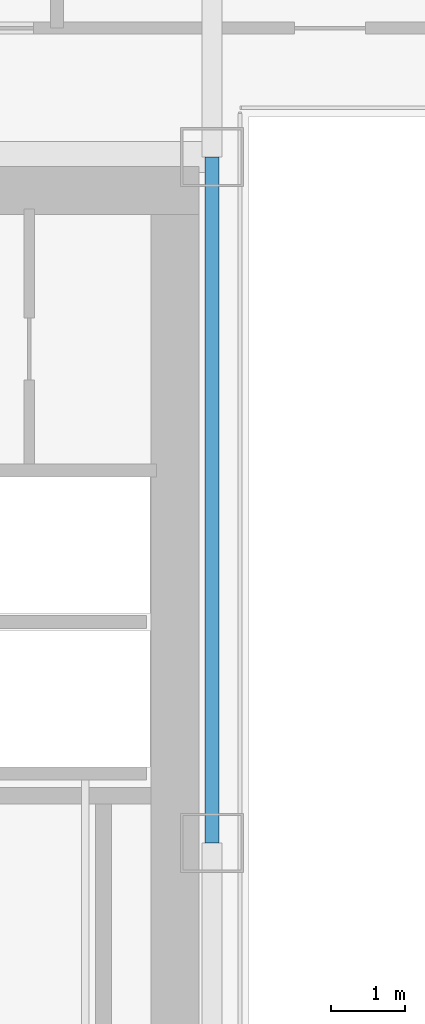
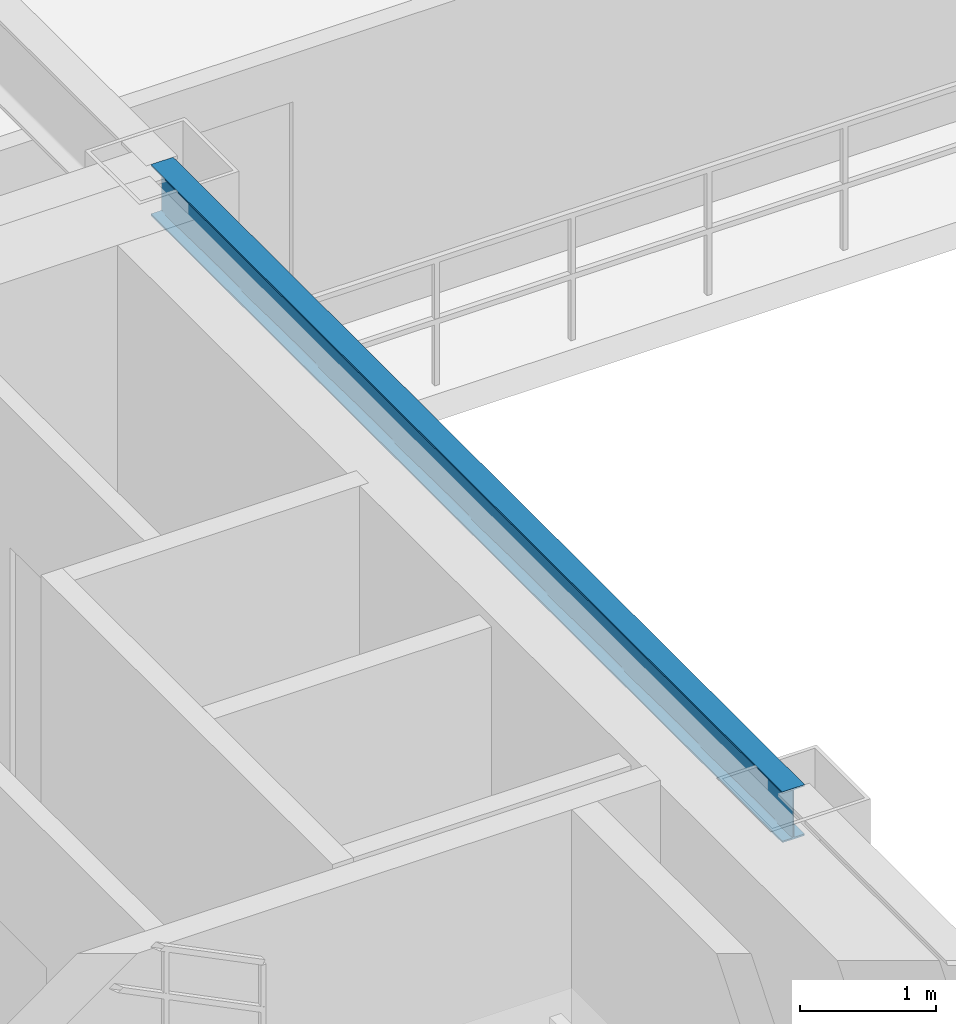
# One storey, part 9 of 34: 1 beam.
"""IFC4 building model written with IfcOpenShell, lengths in metres."""

from ifc_helpers import new_model, si_unit, direction, frame, origin, origin_2d, place, context, subcontext, project, spatial, i_section, extrude, source, transform, mapped, material, material_profile, profile_set, type_object, element, save


model = new_model("IFC4")

# Units and contexts
model_context = context("Model", 3, precision=1e-05, world=origin(), true_north=direction((0.0, 1.0)))
body_context = subcontext(model_context, "Body", "Model", "MODEL_VIEW")
ifc_project = project(units=[si_unit("LENGTHUNIT", "METRE"), si_unit("AREAUNIT", "SQUARE_METRE"), si_unit("VOLUMEUNIT", "CUBIC_METRE"), si_unit("PLANEANGLEUNIT", "RADIAN"), si_unit("MASSUNIT", "GRAM", prefix="KILO")], contexts=[model_context])

# Site, building, storey
site_placement = place(None, origin())
site = spatial("IfcSite", under=ifc_project, at=site_placement, CompositionType="ELEMENT")
building_placement = place(site_placement, origin())
building = spatial("IfcBuilding", under=site, at=building_placement, Name="Ocotamira Hotel", CompositionType="ELEMENT")
storey_placement = place(building_placement, frame((0.0, 0.0, 108.0)))
storey = spatial("IfcBuildingStorey", under=building, at=storey_placement, Name="L26", CompositionType="ELEMENT", Elevation=108.0)

# Beam
ifc_material = material(Name="Steel ASTM A992 Grade 50", Category="steel")
ifc_material_profile = material_profile(ifc_material, i_section(OverallWidth=0.18994140625, OverallDepth=0.45703125, WebThickness=0.009033203125, FlangeThickness=0.014404296875, FilletRadius=0.010009765625, at=origin_2d()), Name="W18X50")
ifc_profile_set = profile_set([ifc_material_profile], Name="Steel ASTM A992 Grade 50")
beam_type = type_object("IfcBeamType", Name="BM-SEC-W18X50", PredefinedType="JOIST", material=ifc_profile_set)
shared_shape = source(origin(), body_context, "Body", "SweptSolid", [
    extrude(i_section(OverallWidth=0.18994140625, OverallDepth=0.45703125, WebThickness=0.009033203125, FlangeThickness=0.014404296875, FilletRadius=0.010009765625, at=origin_2d()), origin(), (0.0, 0.0, 1.0), 9.300048828125),
])
beam_placement = place(storey_placement, frame((23.5, 28.14990234375, 3.131591796875), z_axis=(0.0, 1.0, 0.0), x_axis=(-1.0, 0.0, 0.0)))
element("IfcBeam", 1, at=beam_placement, inside=storey, type_object=beam_type, Name="L26 Beam X23.5 Y28.15-37.45", PredefinedType="JOIST", context=body_context, shape_type="MappedRepresentation", body=[
    mapped(shared_shape, transform((0.0, 0.0, 0.0), scale=1.0)),
])

save(model, "model.ifc")
